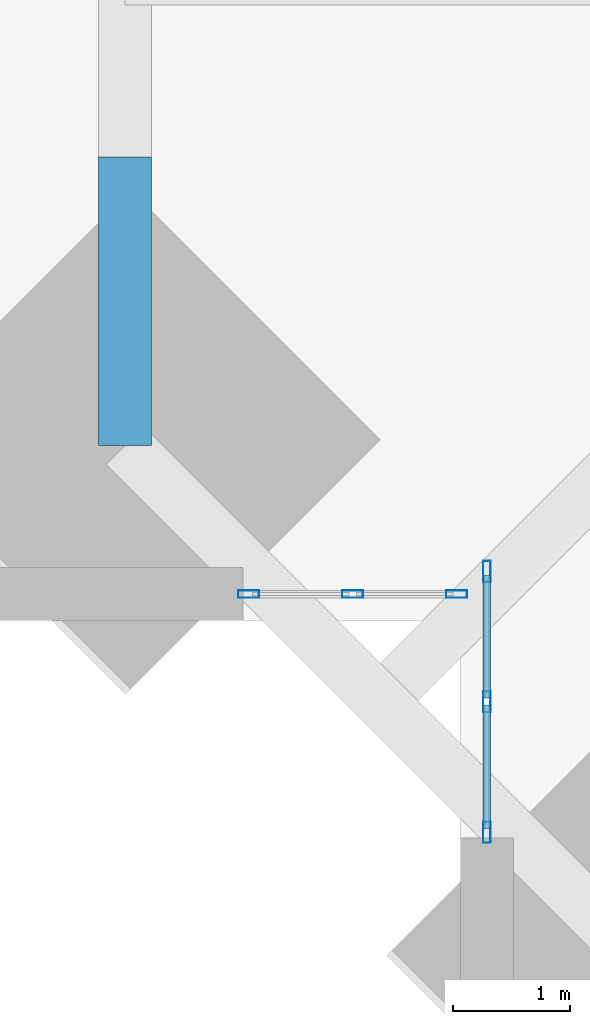
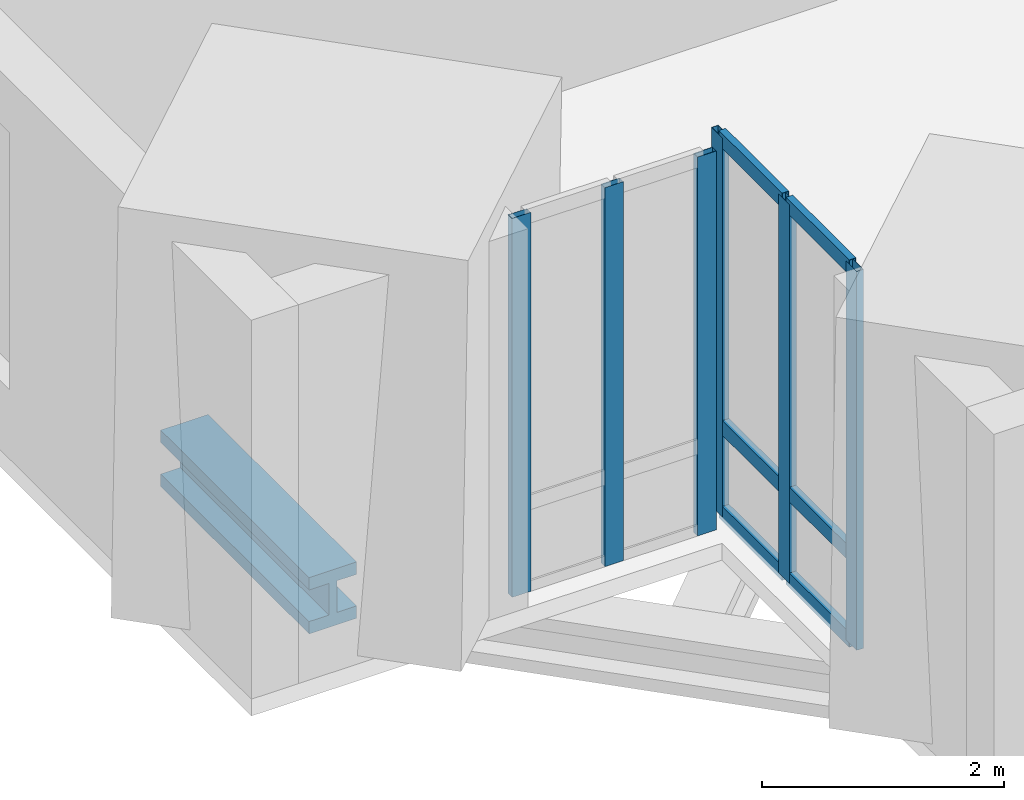
# One storey, part 2 of 15: 13 members, 2 elements without a shape of their own.
"""IFC4 building model written with IfcOpenShell, lengths in metres."""

from ifc_helpers import new_model, si_unit, direction, frame, origin, origin_2d, place, context, subcontext, project, spatial, hollow_rectangle, i_section, extrude, material, material_profile, profile_set, type_object, element, aggregate, save


model = new_model("IFC4")

# Units and contexts
model_context = context("Model", 3, precision=1e-05, world=origin(), true_north=direction((0.0, 1.0)))
body_context = subcontext(model_context, "Body", "Model", "MODEL_VIEW")
ifc_project = project(units=[si_unit("LENGTHUNIT", "METRE"), si_unit("AREAUNIT", "SQUARE_METRE"), si_unit("VOLUMEUNIT", "CUBIC_METRE"), si_unit("PLANEANGLEUNIT", "RADIAN"), si_unit("MASSUNIT", "GRAM", prefix="KILO")], contexts=[model_context])

# Site, building, storey
site_placement = place(None, origin())
site = spatial("IfcSite", under=ifc_project, at=site_placement, CompositionType="ELEMENT")
building_placement = place(site_placement, origin())
building = spatial("IfcBuilding", under=site, at=building_placement, Name="Peilmerk Tower", CompositionType="ELEMENT")
storey_placement = place(building_placement, frame((0.0, 0.0, 201.800048828125)))
storey = spatial("IfcBuildingStorey", under=building, at=storey_placement, Name="L43", CompositionType="ELEMENT", Elevation=201.800048828125)

# Curtain wall, members
ifc_material_1 = material(Name="Aluminium stick curtain wall", Category="aluminium")
curtain_wall_type = type_object("IfcCurtainWallType", Name="CW4 stick curtain wall, 2250 module", PredefinedType="NOTDEFINED", material=ifc_material_1)
curtain_wall_1_placement = place(storey_placement, origin())
curtain_wall_1 = element("IfcCurtainWall", 1, at=curtain_wall_1_placement, inside=storey, type_object=curtain_wall_type, Name="Curtain wall CW4 SWA L43", PredefinedType="NOTDEFINED")
ifc_material_2 = material(Name="Aluminium EN AW-6063 T6", Category="aluminium")
ifc_material_profile_1 = material_profile(ifc_material_2, hollow_rectangle(XDim=0.06494140625, YDim=0.179931640625, WallThickness=0.0029296875, at=origin_2d()), Name="AL 180x65x3")
ifc_profile_set_1 = profile_set([ifc_material_profile_1], Name="Aluminium EN AW-6063 T6")
member_type_1 = type_object("IfcMemberType", Name="CW4-M AL 180x65x3 mullion", PredefinedType="MULLION", material=ifc_profile_set_1)
member_1_placement = place(storey_placement, frame((-19.675048828125, -19.482421875, 0.0), z_axis=(0.0, 0.0, 1.0), x_axis=(1.0, 0.0, 0.0)))
member_1 = element("IfcMember", 2, at=member_1_placement, type_object=member_type_1, Name="CW4 mullion 1", PredefinedType="MULLION", context=body_context, shape_type="SweptSolid", body=[
    extrude(hollow_rectangle(XDim=0.06494140625, YDim=0.179931640625, WallThickness=0.0029296875, at=origin_2d()), origin(), (0.0, 0.0, 1.0), 3.829833984375),
])
member_2_placement = place(storey_placement, frame((-19.675048828125, -20.59423828125, 0.0), z_axis=(0.0, 0.0, 1.0), x_axis=(1.0, 0.0, 0.0)))
member_2 = element("IfcMember", 3, at=member_2_placement, type_object=member_type_1, Name="CW4 mullion 2", PredefinedType="MULLION", context=body_context, shape_type="SweptSolid", body=[
    extrude(hollow_rectangle(XDim=0.06494140625, YDim=0.179931640625, WallThickness=0.0029296875, at=origin_2d()), origin(), (0.0, 0.0, 1.0), 3.829833984375),
])
member_3_placement = place(storey_placement, frame((-19.675048828125, -21.706298828125, 0.0), z_axis=(0.0, 0.0, 1.0), x_axis=(1.0, 0.0, 0.0)))
member_3 = element("IfcMember", 4, at=member_3_placement, type_object=member_type_1, Name="CW4 mullion 3", PredefinedType="MULLION", context=body_context, shape_type="SweptSolid", body=[
    extrude(hollow_rectangle(XDim=0.06494140625, YDim=0.179931640625, WallThickness=0.0029296875, at=origin_2d()), origin(), (0.0, 0.0, 1.0), 3.829833984375),
])

curtain_wall_2_placement = place(storey_placement, origin())
curtain_wall_2 = element("IfcCurtainWall", 5, at=curtain_wall_2_placement, inside=storey, type_object=curtain_wall_type, Name="Curtain wall CW4 SWB L43", PredefinedType="NOTDEFINED")
member_4_placement = place(storey_placement, frame((-19.9326171875, -19.675048828125, 0.0), z_axis=(0.0, 0.0, 1.0), x_axis=(0.0, -1.0, 0.0)))
member_4 = element("IfcMember", 6, at=member_4_placement, type_object=member_type_1, Name="CW4 mullion 1", PredefinedType="MULLION", context=body_context, shape_type="SweptSolid", body=[
    extrude(hollow_rectangle(XDim=0.06494140625, YDim=0.179931640625, WallThickness=0.0029296875, at=origin_2d()), origin(), (0.0, 0.0, 1.0), 3.829833984375),
])
member_5_placement = place(storey_placement, frame((-20.8193359375, -19.675048828125, 0.0), z_axis=(0.0, 0.0, 1.0), x_axis=(0.0, -1.0, 0.0)))
member_5 = element("IfcMember", 7, at=member_5_placement, type_object=member_type_1, Name="CW4 mullion 2", PredefinedType="MULLION", context=body_context, shape_type="SweptSolid", body=[
    extrude(hollow_rectangle(XDim=0.06494140625, YDim=0.179931640625, WallThickness=0.0029296875, at=origin_2d()), origin(), (0.0, 0.0, 1.0), 3.829833984375),
])
member_6_placement = place(storey_placement, frame((-21.706298828125, -19.675048828125, 0.0), z_axis=(0.0, 0.0, 1.0), x_axis=(0.0, -1.0, 0.0)))
member_6 = element("IfcMember", 8, at=member_6_placement, type_object=member_type_1, Name="CW4 mullion 3", PredefinedType="MULLION", context=body_context, shape_type="SweptSolid", body=[
    extrude(hollow_rectangle(XDim=0.06494140625, YDim=0.179931640625, WallThickness=0.0029296875, at=origin_2d()), origin(), (0.0, 0.0, 1.0), 3.829833984375),
])
aggregate(curtain_wall_2, [member_4, member_5, member_6])

# Member
ifc_material_profile_2 = material_profile(ifc_material_2, hollow_rectangle(XDim=0.06494140625, YDim=0.14990234375, WallThickness=0.0029296875, at=origin_2d()), Name="AL 150x65x3")
ifc_profile_set_2 = profile_set([ifc_material_profile_2], Name="Aluminium EN AW-6063 T6")
member_type_2 = type_object("IfcMemberType", Name="CW4-T AL 150x65x3 transom", PredefinedType="USERDEFINED", material=ifc_profile_set_2)
member_7_placement = place(storey_placement, frame((-19.675048828125, -19.514892578125, 0.032470703125), z_axis=(0.0, -1.0, 0.0), x_axis=(1.0, 0.0, 0.0)))
member_7 = element("IfcMember", 9, at=member_7_placement, type_object=member_type_2, Name="CW4 transom 1.1", ObjectType="TRANSOM", PredefinedType="USERDEFINED", context=body_context, shape_type="SweptSolid", body=[
    extrude(hollow_rectangle(XDim=0.06494140625, YDim=0.14990234375, WallThickness=0.0029296875, at=origin_2d()), origin(), (0.0, 0.0, 1.0), 1.046875),
])

member_8_placement = place(storey_placement, frame((-19.675048828125, -19.514892578125, 0.89990234375), z_axis=(0.0, -1.0, 0.0), x_axis=(1.0, 0.0, 0.0)))
member_8 = element("IfcMember", 10, at=member_8_placement, type_object=member_type_2, Name="CW4 transom 1.2", ObjectType="TRANSOM", PredefinedType="USERDEFINED", context=body_context, shape_type="SweptSolid", body=[
    extrude(hollow_rectangle(XDim=0.06494140625, YDim=0.14990234375, WallThickness=0.0029296875, at=origin_2d()), origin(), (0.0, 0.0, 1.0), 1.046875),
])

member_9_placement = place(storey_placement, frame((-19.675048828125, -19.514892578125, 3.79736328125), z_axis=(0.0, -1.0, 0.0), x_axis=(1.0, 0.0, 0.0)))
member_9 = element("IfcMember", 11, at=member_9_placement, type_object=member_type_2, Name="CW4 transom 1.3", ObjectType="TRANSOM", PredefinedType="USERDEFINED", context=body_context, shape_type="SweptSolid", body=[
    extrude(hollow_rectangle(XDim=0.06494140625, YDim=0.14990234375, WallThickness=0.0029296875, at=origin_2d()), origin(), (0.0, 0.0, 1.0), 1.046875),
])

member_10_placement = place(storey_placement, frame((-19.675048828125, -20.626953125, 0.032470703125), z_axis=(0.0, -1.0, 0.0), x_axis=(1.0, 0.0, 0.0)))
member_10 = element("IfcMember", 12, at=member_10_placement, type_object=member_type_2, Name="CW4 transom 2.1", ObjectType="TRANSOM", PredefinedType="USERDEFINED", context=body_context, shape_type="SweptSolid", body=[
    extrude(hollow_rectangle(XDim=0.06494140625, YDim=0.14990234375, WallThickness=0.0029296875, at=origin_2d()), origin(), (0.0, 0.0, 1.0), 1.046630859375),
])

member_11_placement = place(storey_placement, frame((-19.675048828125, -20.626953125, 0.89990234375), z_axis=(0.0, -1.0, 0.0), x_axis=(1.0, 0.0, 0.0)))
member_11 = element("IfcMember", 13, at=member_11_placement, type_object=member_type_2, Name="CW4 transom 2.2", ObjectType="TRANSOM", PredefinedType="USERDEFINED", context=body_context, shape_type="SweptSolid", body=[
    extrude(hollow_rectangle(XDim=0.06494140625, YDim=0.14990234375, WallThickness=0.0029296875, at=origin_2d()), origin(), (0.0, 0.0, 1.0), 1.046630859375),
])

member_12_placement = place(storey_placement, frame((-19.675048828125, -20.626953125, 3.79736328125), z_axis=(0.0, -1.0, 0.0), x_axis=(1.0, 0.0, 0.0)))
member_12 = element("IfcMember", 14, at=member_12_placement, type_object=member_type_2, Name="CW4 transom 2.3", ObjectType="TRANSOM", PredefinedType="USERDEFINED", context=body_context, shape_type="SweptSolid", body=[
    extrude(hollow_rectangle(XDim=0.06494140625, YDim=0.14990234375, WallThickness=0.0029296875, at=origin_2d()), origin(), (0.0, 0.0, 1.0), 1.046630859375),
])

aggregate(curtain_wall_1, [member_1, member_2, member_3, member_7, member_8, member_9, member_10, member_11, member_12])

ifc_material_3 = material(Name="Steel S460", Category="steel")
ifc_material_profile_3 = material_profile(ifc_material_3, i_section(OverallWidth=0.4541015625, OverallDepth=0.569091796875, WebThickness=0.077880859375, FlangeThickness=0.125, at=origin_2d()), Name="HD 400x1086")
ifc_profile_set_3 = profile_set([ifc_material_profile_3], Name="Steel S460")
member_type_3 = type_object("IfcMemberType", Name="M1 HD 400x1086 belt truss chord", PredefinedType="CHORD", material=ifc_profile_set_3)
member_13_placement = place(storey_placement, frame((-22.759765625, -15.949951171875, -0.45458984375), z_axis=(0.0, -1.0, 0.0), x_axis=(1.0, 0.0, 0.0)))
element("IfcMember", 15, at=member_13_placement, inside=storey, type_object=member_type_3, Name="Belt truss chord L43", PredefinedType="CHORD", context=body_context, shape_type="SweptSolid", body=[
    extrude(i_section(OverallWidth=0.4541015625, OverallDepth=0.569091796875, WebThickness=0.077880859375, FlangeThickness=0.125, at=origin_2d()), origin(), (0.0, 0.0, 1.0), 2.459716796875),
])

save(model, "model.ifc")
